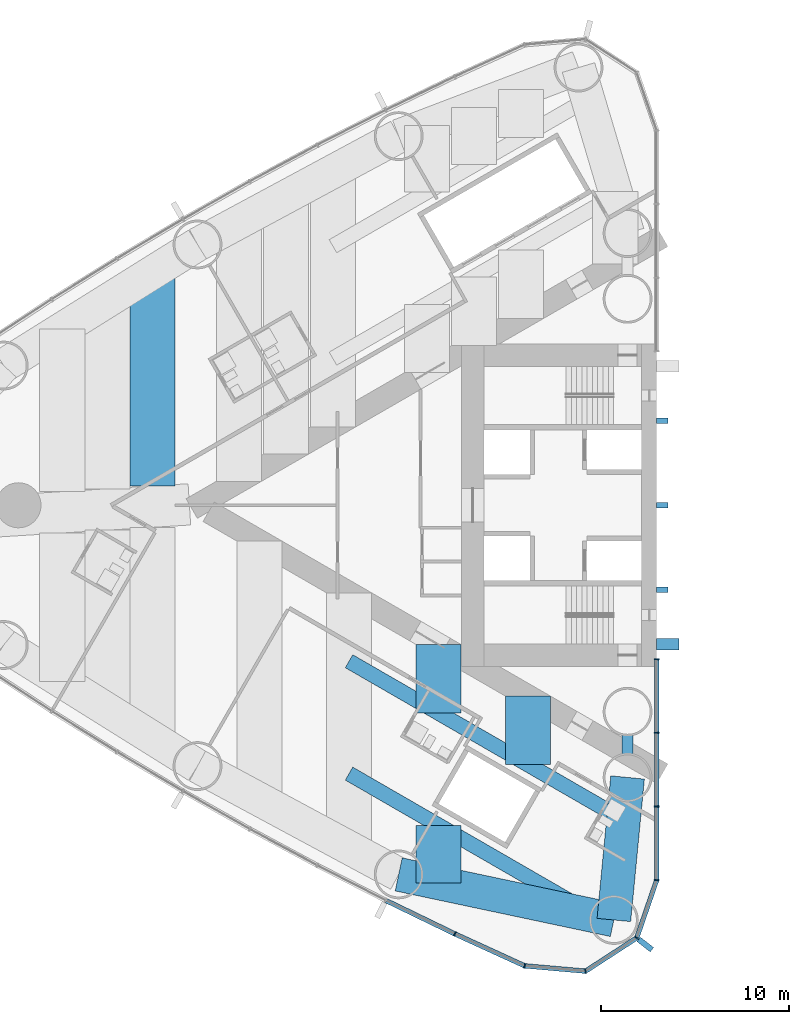
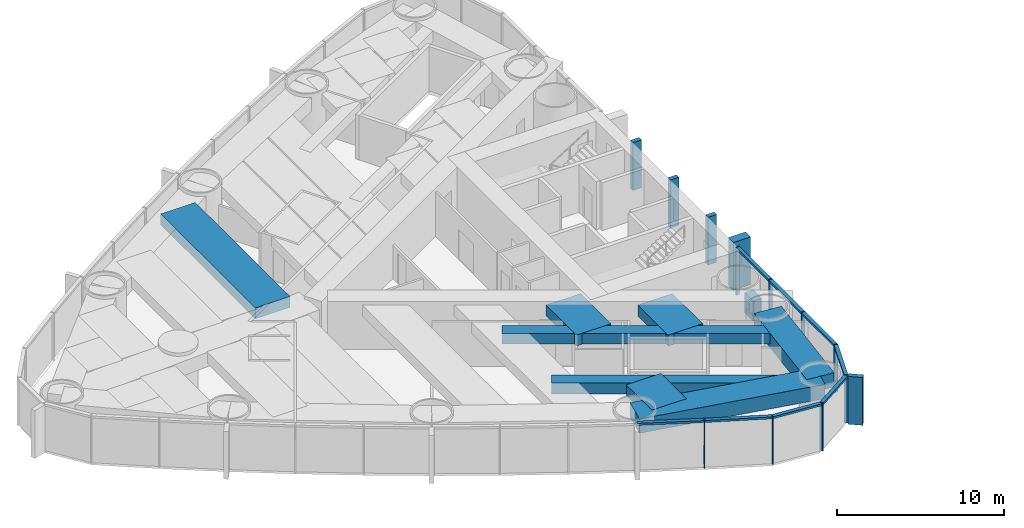
# One storey, part 3 of 18: 21 members, 9 beams, 1 element without a shape of its own.
"""IFC4 building model written with IfcOpenShell, lengths in metres."""

from ifc_helpers import new_model, si_unit, direction, frame, origin, origin_2d, place, context, subcontext, project, spatial, rectangle, hollow_rectangle, extrude, material, material_profile, profile_set, type_object, element, aggregate, save


model = new_model("IFC4")

# Units and contexts
model_context = context("Model", 3, precision=1e-05, world=origin(), true_north=direction((0.0, 1.0)))
body_context = subcontext(model_context, "Body", "Model", "MODEL_VIEW")
ifc_project = project(units=[si_unit("LENGTHUNIT", "METRE"), si_unit("AREAUNIT", "SQUARE_METRE"), si_unit("VOLUMEUNIT", "CUBIC_METRE"), si_unit("PLANEANGLEUNIT", "RADIAN"), si_unit("MASSUNIT", "GRAM", prefix="KILO")], contexts=[model_context])

# Site, building, storey
site_placement = place(None, origin())
site = spatial("IfcSite", under=ifc_project, at=site_placement, CompositionType="ELEMENT")
building_placement = place(site_placement, origin())
building = spatial("IfcBuilding", under=site, at=building_placement, Name="Lancet Gate Hotel", CompositionType="ELEMENT")
storey_placement = place(building_placement, frame((0.0, 0.0, 115.10009765625)))
storey = spatial("IfcBuildingStorey", under=building, at=storey_placement, Name="L30", CompositionType="ELEMENT", Elevation=115.10009765625)

# Curtain wall, members
ifc_material_1 = material(Name="Aluminium curtain wall", Category="aluminium")
curtain_wall_type = type_object("IfcCurtainWallType", Name="Tower unitised curtain wall", PredefinedType="USERDEFINED", material=ifc_material_1)
curtain_wall_placement = place(storey_placement, origin())
curtain_wall = element("IfcCurtainWall", 1, at=curtain_wall_placement, inside=storey, type_object=curtain_wall_type, Name="T1 L30 curtain wall 1", ObjectType="UNITISED CURTAIN WALL", PredefinedType="USERDEFINED")
ifc_material_2 = material(Name="Aluminium mullion", Category="aluminium")
ifc_material_profile_1 = material_profile(ifc_material_2, rectangle(XDim=0.06494140625, YDim=0.25, at=origin_2d()), Name="MULLION 65x250")
ifc_profile_set_1 = profile_set([ifc_material_profile_1], Name="Aluminium mullion")
member_type_1 = type_object("IfcMemberType", Name="Aluminium mullion 65x250", PredefinedType="MULLION", material=ifc_profile_set_1)
member_1_placement = place(storey_placement, frame((-38.25244140625, -22.83642578125, 0.0), z_axis=(0.0, 0.0, 1.0), x_axis=(0.904719609771, -0.426007544178, 0.0)))
member_1 = element("IfcMember", 2, at=member_1_placement, type_object=member_type_1, Name="T1 L30 curtain wall 1 mullion 29", PredefinedType="MULLION", context=body_context, shape_type="SweptSolid", body=[
    extrude(rectangle(XDim=0.06494140625, YDim=0.25, at=origin_2d()), origin(), (0.0, 0.0, 1.0), 3.5),
])
member_2_placement = place(storey_placement, frame((-34.5322265625, -24.53955078125, 0.0), z_axis=(0.0, 0.0, 1.0), x_axis=(0.961653318232, -0.27426792655, 0.0)))
member_2 = element("IfcMember", 3, at=member_2_placement, type_object=member_type_1, Name="T1 L30 curtain wall 1 mullion 30", PredefinedType="MULLION", context=body_context, shape_type="SweptSolid", body=[
    extrude(rectangle(XDim=0.06494140625, YDim=0.25, at=origin_2d()), origin(), (0.0, 0.0, 1.0), 3.5),
])
member_3_placement = place(storey_placement, frame((-31.289306640625, -24.822265625, 0.0), z_axis=(0.0, 0.0, 1.0), x_axis=(0.970242142288, 0.242136707934, 0.0)))
member_3 = element("IfcMember", 4, at=member_3_placement, type_object=member_type_1, Name="T1 L30 curtain wall 1 mullion 31", PredefinedType="MULLION", context=body_context, shape_type="SweptSolid", body=[
    extrude(rectangle(XDim=0.06494140625, YDim=0.25, at=origin_2d()), origin(), (0.0, 0.0, 1.0), 3.5),
])
member_4_placement = place(storey_placement, frame((-28.5595703125, -23.049072265625, 0.0), z_axis=(0.0, 0.0, 1.0), x_axis=(0.615574240878, 0.788078900851, 0.0)))
member_4 = element("IfcMember", 5, at=member_4_placement, type_object=member_type_1, Name="T1 L30 curtain wall 1 mullion 32", PredefinedType="MULLION", context=body_context, shape_type="SweptSolid", body=[
    extrude(rectangle(XDim=0.06494140625, YDim=0.25, at=origin_2d()), origin(), (0.0, 0.0, 1.0), 3.5),
])
member_5_placement = place(storey_placement, frame((-27.5, -19.97119140625, 0.0), z_axis=(0.0, 0.0, 1.0), x_axis=(0.149634446211, 0.988741388082, 0.0)))
member_5 = element("IfcMember", 6, at=member_5_placement, type_object=member_type_1, Name="T1 L30 curtain wall 1 mullion 33", PredefinedType="MULLION", context=body_context, shape_type="SweptSolid", body=[
    extrude(rectangle(XDim=0.06494140625, YDim=0.25, at=origin_2d()), origin(), (0.0, 0.0, 1.0), 3.5),
])
member_6_placement = place(storey_placement, frame((-27.5, -16.04736328125, 0.0), z_axis=(0.0, 0.0, 1.0), x_axis=(0.0, 1.0, 0.0)))
member_6 = element("IfcMember", 7, at=member_6_placement, type_object=member_type_1, Name="T1 L30 curtain wall 1 mullion 34", PredefinedType="MULLION", context=body_context, shape_type="SweptSolid", body=[
    extrude(rectangle(XDim=0.06494140625, YDim=0.25, at=origin_2d()), origin(), (0.0, 0.0, 1.0), 3.5),
])
member_7_placement = place(storey_placement, frame((-27.5, -12.123779296875, 0.0), z_axis=(0.0, 0.0, 1.0), x_axis=(0.0, 1.0, 0.0)))
member_7 = element("IfcMember", 8, at=member_7_placement, type_object=member_type_1, Name="T1 L30 curtain wall 1 mullion 35", PredefinedType="MULLION", context=body_context, shape_type="SweptSolid", body=[
    extrude(rectangle(XDim=0.06494140625, YDim=0.25, at=origin_2d()), origin(), (0.0, 0.0, 1.0), 3.5),
])
member_8_placement = place(storey_placement, frame((-27.5, -8.199951171875, 0.0), z_axis=(0.0, 0.0, 1.0), x_axis=(0.0, 1.0, 0.0)))
member_8 = element("IfcMember", 9, at=member_8_placement, type_object=member_type_1, Name="T1 L30 curtain wall 1 mullion 36", PredefinedType="MULLION", context=body_context, shape_type="SweptSolid", body=[
    extrude(rectangle(XDim=0.06494140625, YDim=0.25, at=origin_2d()), origin(), (0.0, 0.0, 1.0), 3.5),
])
ifc_material_3 = material(Name="Aluminium transom", Category="aluminium")
ifc_material_profile_2 = material_profile(ifc_material_3, rectangle(XDim=0.25, YDim=0.14990234375, at=origin_2d()), Name="TRANSOM 250x150")
ifc_profile_set_2 = profile_set([ifc_material_profile_2], Name="Aluminium transom")
member_type_2 = type_object("IfcMemberType", Name="Aluminium transom 250x150", PredefinedType="USERDEFINED", material=ifc_profile_set_2)
member_9_placement = place(storey_placement, frame((-41.906005859375, -21.067626953125, 3.4248046875), z_axis=(0.900065677074, -0.435754262117, 0.0), x_axis=(0.435754262117, 0.900065677074, 0.0)))
member_9 = element("IfcMember", 10, at=member_9_placement, type_object=member_type_2, Name="T1 L30 curtain wall 1 transom 28", ObjectType="TRANSOM", PredefinedType="USERDEFINED", context=body_context, shape_type="SweptSolid", body=[
    extrude(rectangle(XDim=0.25, YDim=0.14990234375, at=origin_2d()), origin(), (0.0, 0.0, 1.0), 4.026611328125),
])
member_10_placement = place(storey_placement, frame((-38.222900390625, -22.849853515625, 3.4248046875), z_axis=(0.909252284196, -0.416245460857, 0.0), x_axis=(0.416245460857, 0.909252284196, 0.0)))
member_10 = element("IfcMember", 11, at=member_10_placement, type_object=member_type_2, Name="T1 L30 curtain wall 1 transom 29", ObjectType="TRANSOM", PredefinedType="USERDEFINED", context=body_context, shape_type="SweptSolid", body=[
    extrude(rectangle(XDim=0.25, YDim=0.14990234375, at=origin_2d()), origin(), (0.0, 0.0, 1.0), 4.026611328125),
])
member_11_placement = place(storey_placement, frame((-34.499755859375, -24.542236328125, 3.4248046875), z_axis=(0.996213545522, -0.086940046686, 0.0), x_axis=(0.086940046686, 0.996213545522, 0.0)))
member_11 = element("IfcMember", 12, at=member_11_placement, type_object=member_type_2, Name="T1 L30 curtain wall 1 transom 30", ObjectType="TRANSOM", PredefinedType="USERDEFINED", context=body_context, shape_type="SweptSolid", body=[
    extrude(rectangle(XDim=0.25, YDim=0.14990234375, at=origin_2d()), origin(), (0.0, 0.0, 1.0), 3.18994140625),
])
member_12_placement = place(storey_placement, frame((-31.261962890625, -24.8046875, 3.4248046875), z_axis=(0.838550259452, 0.544824249068, 0.0), x_axis=(-0.544824249068, 0.838550259452, 0.0)))
member_12 = element("IfcMember", 13, at=member_12_placement, type_object=member_type_2, Name="T1 L30 curtain wall 1 transom 31", ObjectType="TRANSOM", PredefinedType="USERDEFINED", context=body_context, shape_type="SweptSolid", body=[
    extrude(rectangle(XDim=0.25, YDim=0.14990234375, at=origin_2d()), origin(), (0.0, 0.0, 1.0), 3.190185546875),
])
member_13_placement = place(storey_placement, frame((-28.549072265625, -23.018310546875, 3.4248046875), z_axis=(0.32553312754, 0.945530635609, 0.0), x_axis=(-0.945530635609, 0.32553312754, 0.0)))
member_13 = element("IfcMember", 14, at=member_13_placement, type_object=member_type_2, Name="T1 L30 curtain wall 1 transom 32", ObjectType="TRANSOM", PredefinedType="USERDEFINED", context=body_context, shape_type="SweptSolid", body=[
    extrude(rectangle(XDim=0.25, YDim=0.14990234375, at=origin_2d()), origin(), (0.0, 0.0, 1.0), 3.1904296875),
])
member_14_placement = place(storey_placement, frame((-27.5, -19.9384765625, 3.4248046875), z_axis=(0.0, 1.0, 0.0), x_axis=(-1.0, 0.0, 0.0)))
member_14 = element("IfcMember", 15, at=member_14_placement, type_object=member_type_2, Name="T1 L30 curtain wall 1 transom 33", ObjectType="TRANSOM", PredefinedType="USERDEFINED", context=body_context, shape_type="SweptSolid", body=[
    extrude(rectangle(XDim=0.25, YDim=0.14990234375, at=origin_2d()), origin(), (0.0, 0.0, 1.0), 3.858642578125),
])
member_15_placement = place(storey_placement, frame((-27.5, -16.014892578125, 3.4248046875), z_axis=(0.0, 1.0, 0.0), x_axis=(-1.0, 0.0, 0.0)))
member_15 = element("IfcMember", 16, at=member_15_placement, type_object=member_type_2, Name="T1 L30 curtain wall 1 transom 34", ObjectType="TRANSOM", PredefinedType="USERDEFINED", context=body_context, shape_type="SweptSolid", body=[
    extrude(rectangle(XDim=0.25, YDim=0.14990234375, at=origin_2d()), origin(), (0.0, 0.0, 1.0), 3.858642578125),
])
member_16_placement = place(storey_placement, frame((-27.5, -12.09130859375, 3.4248046875), z_axis=(0.0, 1.0, 0.0), x_axis=(-1.0, 0.0, 0.0)))
member_16 = element("IfcMember", 17, at=member_16_placement, type_object=member_type_2, Name="T1 L30 curtain wall 1 transom 35", ObjectType="TRANSOM", PredefinedType="USERDEFINED", context=body_context, shape_type="SweptSolid", body=[
    extrude(rectangle(XDim=0.25, YDim=0.14990234375, at=origin_2d()), origin(), (0.0, 0.0, 1.0), 3.85888671875),
])

# Beams
ifc_material_4 = material(Name="Concrete C50/60", Category="concrete")
ifc_material_profile_3 = material_profile(ifc_material_4, rectangle(XDim=1.800048828125, YDim=1.050048828125, at=origin_2d()), Name="RC 1800x1050")
ifc_profile_set_3 = profile_set([ifc_material_profile_3], Name="Concrete C50/60")
beam_type_1 = type_object("IfcBeamType", Name="Edge beam RC 1800x1050", PredefinedType="SPANDREL", material=ifc_profile_set_3)
beam_1_placement = place(storey_placement, frame((-41.244873046875, -19.665771484375, 2.724853515625), z_axis=(0.978282156247, -0.207277646573, 0.0), x_axis=(0.207277646573, 0.978282156247, 0.0)))
element("IfcBeam", 18, at=beam_1_placement, inside=storey, type_object=beam_type_1, Name="T1 edge beam EB1 L30", PredefinedType="SPANDREL", context=body_context, shape_type="SweptSolid", body=[
    extrude(rectangle(XDim=1.800048828125, YDim=1.050048828125, at=origin_2d()), origin(), (0.0, 0.0, 1.0), 11.71826171875),
])
beam_2_placement = place(storey_placement, frame((-29.050048828125, -14.5, 2.724853515625), z_axis=(-0.095802643786, -0.995400348324, 0.0), x_axis=(0.995400348324, -0.095802643786, 0.0)))
element("IfcBeam", 19, at=beam_2_placement, inside=storey, type_object=beam_type_1, Name="T1 edge beam EB1 L30", PredefinedType="SPANDREL", context=body_context, shape_type="SweptSolid", body=[
    extrude(rectangle(XDim=1.800048828125, YDim=1.050048828125, at=origin_2d()), origin(), (0.0, 0.0, 1.0), 7.6298828125),
])

# Member
ifc_material_5 = material(Name="Concrete C60/75", Category="concrete")
ifc_material_profile_4 = material_profile(ifc_material_5, rectangle(XDim=0.60009765625, YDim=1.199951171875, at=origin_2d()), Name="FIN 600x1200")
ifc_profile_set_4 = profile_set([ifc_material_profile_4], Name="Concrete C60/75")
member_type_3 = type_object("IfcMemberType", Name="Exposed concrete buttress pilaster 600x1200", PredefinedType="USERDEFINED", material=ifc_profile_set_4)
member_17_placement = place(storey_placement, frame((-26.909912109375, -7.39990234375, 0.0), z_axis=(0.0, 0.0, 1.0), x_axis=(0.0, 1.0, 0.0)))
element("IfcMember", 20, at=member_17_placement, inside=storey, type_object=member_type_3, Name="T1 buttress pilaster N L30", ObjectType="FIN", PredefinedType="USERDEFINED", context=body_context, shape_type="SweptSolid", body=[
    extrude(rectangle(XDim=0.60009765625, YDim=1.199951171875, at=origin_2d()), origin(), (0.0, 0.0, 1.0), 3.5),
])

ifc_material_6 = material(Name="Precast concrete C50/60", Category="concrete")
ifc_material_profile_5 = material_profile(ifc_material_6, rectangle(XDim=0.300048828125, YDim=0.89990234375, at=origin_2d()), Name="FIN 300x900")
ifc_profile_set_5 = profile_set([ifc_material_profile_5], Name="Precast concrete C50/60")
member_type_4 = type_object("IfcMemberType", Name="Exposed concrete fin 300x900", PredefinedType="USERDEFINED", material=ifc_profile_set_5)
member_18_placement = place(storey_placement, frame((-28.1064453125, -23.40283203125, 0.0), z_axis=(0.0, 0.0, 1.0), x_axis=(0.615574240878, 0.788078900851, 0.0)))
member_18 = element("IfcMember", 21, at=member_18_placement, type_object=member_type_4, Name="T1 L30 curtain wall 1 fin 32", ObjectType="FIN", PredefinedType="USERDEFINED", context=body_context, shape_type="SweptSolid", body=[
    extrude(rectangle(XDim=0.300048828125, YDim=0.89990234375, at=origin_2d()), origin(), (0.0, 0.0, 1.0), 3.5),
])

aggregate(curtain_wall, [member_1, member_2, member_3, member_4, member_18, member_5, member_6, member_7, member_8, member_9, member_10, member_11, member_12, member_13, member_14, member_15, member_16])

# Members
ifc_material_7 = material(Name="Concrete C60/75", Category="concrete")
ifc_material_profile_6 = material_profile(ifc_material_7, rectangle(XDim=0.300048828125, YDim=0.60009765625, at=origin_2d()), Name="FIN 300x600")
ifc_profile_set_6 = profile_set([ifc_material_profile_6], Name="Concrete C60/75")
member_type_5 = type_object("IfcMemberType", Name="Exposed concrete rib 300x600", PredefinedType="USERDEFINED", material=ifc_profile_set_6)
for number, where, z_axis, x_axis, name in (
    (22, (-27.2099609375, 4.5, 0.0), (0.0, 0.0, 1.0), (0.0, 1.0, 0.0), "T1 core rib 1 L30"),
    (23, (-27.2099609375, 0.0, 0.0), (0.0, 0.0, 1.0), (0.0, 1.0, 0.0), "T1 core rib 2 L30"),
    (24, (-27.2099609375, -4.5, 0.0), (0.0, 0.0, 1.0), (0.0, 1.0, 0.0), "T1 core rib 3 L30"),
):
    element("IfcMember", number, at=place(storey_placement, frame(where, z_axis=z_axis, x_axis=x_axis)), inside=storey, type_object=member_type_5, Name=name, ObjectType="FIN", PredefinedType="USERDEFINED", context=body_context, shape_type="SweptSolid", body=[
        extrude(rectangle(XDim=0.300048828125, YDim=0.60009765625, at=origin_2d()), origin(), (0.0, 0.0, 1.0), 3.5),
    ])

# Beams
ifc_material_8 = material(Name="Concrete C50/60", Category="concrete")
ifc_material_profile_7 = material_profile(ifc_material_8, rectangle(XDim=2.39990234375, YDim=0.800048828125, at=origin_2d()), Name="RC 2400x800")
ifc_profile_set_7 = profile_set([ifc_material_profile_7], Name="Concrete C50/60")
beam_type_2 = type_object("IfcBeamType", Name="Floor beam RC 2400x800", PredefinedType="BEAM", material=ifc_profile_set_7)
beam_3_placement = place(storey_placement, frame((-54.3681640625, 12.392333984375, 2.849853515625), z_axis=(0.0, -1.0, 0.0), x_axis=(1.0, 0.0, 0.0)))
element("IfcBeam", 25, at=beam_3_placement, inside=storey, type_object=beam_type_2, Name="T1 floor beam F13S L30", PredefinedType="BEAM", context=body_context, shape_type="SweptSolid", body=[
    extrude(rectangle(XDim=2.39990234375, YDim=0.800048828125, at=origin_2d()), origin(), (0.0, 0.0, 1.0), 11.364990234375),
])
beam_4_placement = place(storey_placement, frame((-34.353515625, -10.169921875, 2.849853515625), z_axis=(0.0, -1.0, 0.0), x_axis=(1.0, 0.0, 0.0)))
element("IfcBeam", 26, at=beam_4_placement, inside=storey, type_object=beam_type_2, Name="T1 floor beam F03NA L30", PredefinedType="BEAM", context=body_context, shape_type="SweptSolid", body=[
    extrude(rectangle(XDim=2.39990234375, YDim=0.800048828125, at=origin_2d()), origin(), (0.0, 0.0, 1.0), 3.645751953125),
])
beam_5_placement = place(storey_placement, frame((-39.122314453125, -7.41650390625, 2.849853515625), z_axis=(0.0, -1.0, 0.0), x_axis=(1.0, 0.0, 0.0)))
element("IfcBeam", 27, at=beam_5_placement, inside=storey, type_object=beam_type_2, Name="T1 floor beam F06NA L30", PredefinedType="BEAM", context=body_context, shape_type="SweptSolid", body=[
    extrude(rectangle(XDim=2.39990234375, YDim=0.800048828125, at=origin_2d()), origin(), (0.0, 0.0, 1.0), 3.64599609375),
])
beam_6_placement = place(storey_placement, frame((-39.122314453125, -17.0498046875, 2.849853515625), z_axis=(0.0, -1.0, 0.0), x_axis=(1.0, 0.0, 0.0)))
element("IfcBeam", 28, at=beam_6_placement, inside=storey, type_object=beam_type_2, Name="T1 floor beam F06NB L30", PredefinedType="BEAM", context=body_context, shape_type="SweptSolid", body=[
    extrude(rectangle(XDim=2.39990234375, YDim=0.800048828125, at=origin_2d()), origin(), (0.0, 0.0, 1.0), 3.065673828125),
])
ifc_material_9 = material(Name="Steel S460QL", Category="steel")
ifc_material_profile_8 = material_profile(ifc_material_9, hollow_rectangle(XDim=0.60009765625, YDim=1.5, WallThickness=0.050048828125, at=origin_2d()), Name="BOX 1500x600x50")
ifc_profile_set_8 = profile_set([ifc_material_profile_8], Name="Steel S460QL")
beam_type_3 = type_object("IfcBeamType", Name="Inner-face link beam BOX 1500x600x50", PredefinedType="BEAM", material=ifc_profile_set_8)
beam_7_placement = place(storey_placement, frame((-29.050048828125, -12.25, 2.5), z_axis=(0.0, -1.0, 0.0), x_axis=(1.0, 0.0, 0.0)))
element("IfcBeam", 29, at=beam_7_placement, inside=storey, type_object=beam_type_3, Name="T1 inner-face link beam LK1 L30", PredefinedType="BEAM", context=body_context, shape_type="SweptSolid", body=[
    extrude(hollow_rectangle(XDim=0.60009765625, YDim=1.5, WallThickness=0.050048828125, at=origin_2d()), origin(), (0.0, 0.0, 1.0), 1.0),
])
ifc_material_10 = material(Name="Steel S460QL", Category="steel")
ifc_material_profile_9 = material_profile(ifc_material_10, hollow_rectangle(XDim=0.800048828125, YDim=0.800048828125, WallThickness=0.080078125, at=origin_2d()), Name="BOX 800x800x80")
ifc_profile_set_9 = profile_set([ifc_material_profile_9], Name="Steel S460QL")
beam_type_4 = type_object("IfcBeamType", Name="Trimmer beam BOX 800x800x80", PredefinedType="BEAM", material=ifc_profile_set_9)
beam_8_placement = place(storey_placement, frame((-29.58447265625, -16.56884765625, 2.849853515625), z_axis=(-0.866040141834, 0.49997447208, 0.0), x_axis=(-0.49997447208, -0.866040141834, 0.0)))
element("IfcBeam", 30, at=beam_8_placement, inside=storey, type_object=beam_type_4, Name="T1 trimmer beam TR01N L30", PredefinedType="BEAM", context=body_context, shape_type="SweptSolid", body=[
    extrude(hollow_rectangle(XDim=0.800048828125, YDim=0.800048828125, WallThickness=0.080078125, at=origin_2d()), origin(), (0.0, 0.0, 1.0), 16.519775390625),
])
beam_9_placement = place(storey_placement, frame((-30.982421875, -21.7490234375, 2.849853515625), z_axis=(-0.866042392862, 0.4999705729, 0.0), x_axis=(-0.4999705729, -0.866042392862, 0.0)))
element("IfcBeam", 31, at=beam_9_placement, inside=storey, type_object=beam_type_4, Name="T1 trimmer beam TR03N L30", PredefinedType="BEAM", context=body_context, shape_type="SweptSolid", body=[
    extrude(hollow_rectangle(XDim=0.800048828125, YDim=0.800048828125, WallThickness=0.080078125, at=origin_2d()), origin(), (0.0, 0.0, 1.0), 14.90576171875),
])

save(model, "model.ifc")
